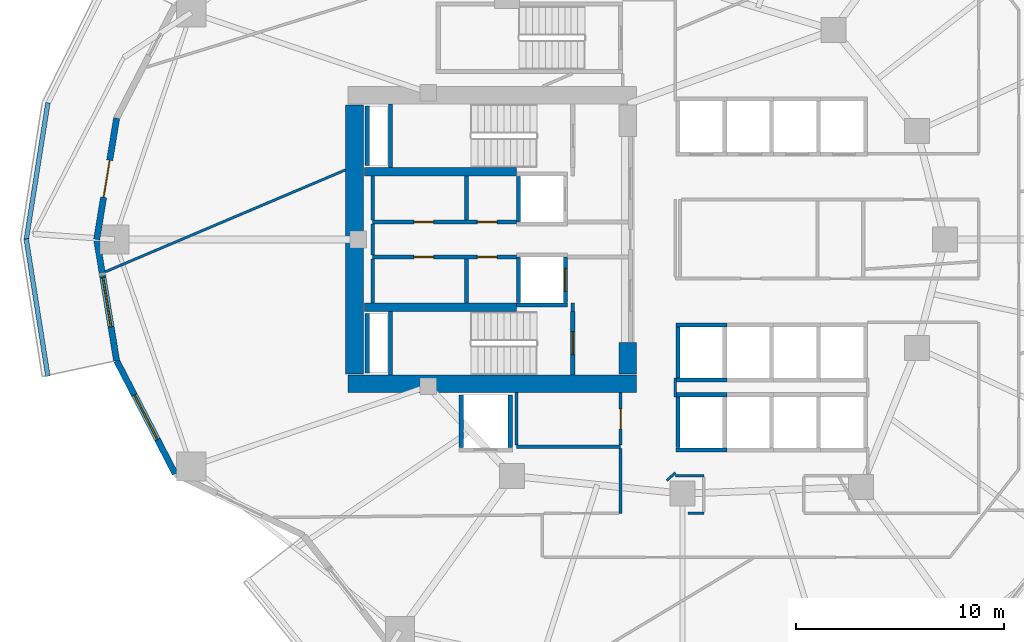
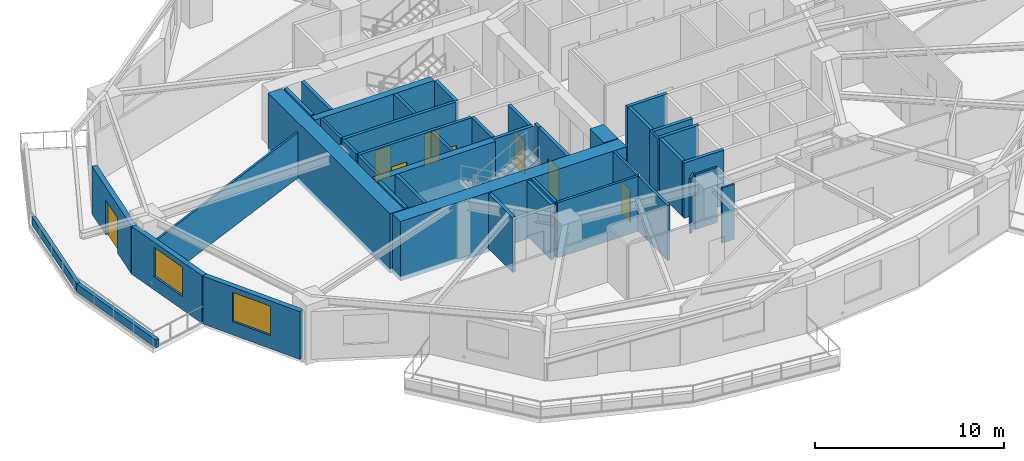
# One storey, part 3 of 14: 44 walls, 8 doors, 2 windows, 10 openings.
"""IFC4 building model written with IfcOpenShell, lengths in metres."""

from ifc_helpers import new_model, si_unit, direction, frame, frame_2d, origin, place, context, subcontext, project, spatial, rectangle, extrude, material, layer, layer_set, type_object, element, fill, save


model = new_model("IFC4")

# Units and contexts
model_context = context("Model", 3, precision=1e-05, world=origin(), true_north=direction((0.0, 1.0)))
body_context = subcontext(model_context, "Body", "Model", "MODEL_VIEW")
ifc_project = project(units=[si_unit("LENGTHUNIT", "METRE"), si_unit("AREAUNIT", "SQUARE_METRE"), si_unit("VOLUMEUNIT", "CUBIC_METRE"), si_unit("PLANEANGLEUNIT", "RADIAN"), si_unit("MASSUNIT", "GRAM", prefix="KILO")], contexts=[model_context])

# Site, building, storey
site_placement = place(None, origin())
site = spatial("IfcSite", under=ifc_project, at=site_placement, CompositionType="ELEMENT")
building_placement = place(site_placement, origin())
building = spatial("IfcBuilding", under=site, at=building_placement, Name="Kolvaren Gate Tower and Convention Centre", CompositionType="ELEMENT")
storey_placement = place(building_placement, frame((0.0, 0.0, 41.89990234375)))
storey = spatial("IfcBuildingStorey", under=building, at=storey_placement, Name="L09", CompositionType="ELEMENT", Elevation=41.89990234375)

# Wall
ifc_material_1 = material(Name="Autoclaved Aerated Masonry Blockwork Class 4 (4.0 MPa)", Category="masonry")
ifc_layer_1 = layer(ifc_material_1, 0.179931640625)
ifc_layer_set_1 = layer_set([ifc_layer_1], Name="Autoclaved Aerated Masonry Blockwork Class 4 (4.0 MPa)")
wall_type_1 = type_object("IfcWallType", Name="ARCH-WL-COMP-180", PredefinedType="SOLIDWALL", material=ifc_layer_set_1)
wall_1_placement = place(storey_placement, frame((24.85009765625, 23.5400390625, 0.0), z_axis=(0.0, 0.0, 1.0), x_axis=(0.0, 1.0, 0.0)))
element("IfcWall", 1, at=wall_1_placement, inside=storey, type_object=wall_type_1, Name="Interior Partition WL-L09-INT-001", PredefinedType="SOLIDWALL", context=body_context, shape_type="SweptSolid", body=[
    extrude(rectangle(XDim=0.419921875, YDim=0.179931640625, at=frame_2d((0.2099609375, 0.0))), origin(), (0.0, 0.0, 1.0), 3.570068359375),
])

# Wall, openings, doors
wall_2_placement = place(storey_placement, frame((15.25, 27.840087890625, 0.0), z_axis=(0.0, 0.0, 1.0), x_axis=(1.0, 0.0, 0.0)))
wall_2 = element("IfcWall", 2, at=wall_2_placement, inside=storey, type_object=wall_type_1, Name="Interior Partition WL-L09-INT-004", PredefinedType="SOLIDWALL", context=body_context, shape_type="SweptSolid", body=[
    extrude(rectangle(XDim=6.89990234375, YDim=0.179931640625, at=frame_2d((3.449951171875, 0.0))), origin(), (0.0, 0.0, 1.0), 3.570068359375),
])
opening_1_placement = place(wall_2_placement, frame((5.02001953125, 0.0, 0.0)))
opening_1 = element("IfcOpeningElement", 3, at=opening_1_placement, cuts=wall_2, Name="Opening DR-01", PredefinedType="OPENING", context=body_context, shape_type="SweptSolid", body=[
    extrude(rectangle(XDim=0.949951171875, YDim=2.10009765625, at=frame_2d((0.47509765625, 1.050048828125))), frame((0.0, 0.099853515625, 0.0), z_axis=(0.0, -1.0, 0.0), x_axis=(1.0, 0.0, 0.0)), (0.0, 0.0, 1.0), 0.199951171875),
])
opening_2_placement = place(wall_2_placement, frame((1.97998046875, 0.0, 0.0)))
opening_2 = element("IfcOpeningElement", 4, at=opening_2_placement, cuts=wall_2, Name="Opening DR-01", PredefinedType="OPENING", context=body_context, shape_type="SweptSolid", body=[
    extrude(rectangle(XDim=0.949951171875, YDim=2.10009765625, at=frame_2d((0.47509765625, 1.050048828125))), frame((0.0, 0.099853515625, 0.0), z_axis=(0.0, -1.0, 0.0), x_axis=(1.0, 0.0, 0.0)), (0.0, 0.0, 1.0), 0.199951171875),
])
ifc_material_2 = material(Name="Painted Architectural Steelwork ASTM A500 Grade C 345 MPa", Category="steel")
door_type_1 = type_object("IfcDoorType", Name="ARCH-DR-RISER-950", OperationType="SINGLE_SWING_RIGHT", PredefinedType="DOOR", material=ifc_material_2)
door_1_placement = place(opening_1_placement, origin())
door_1 = element("IfcDoor", 5, at=door_1_placement, inside=storey, type_object=door_type_1, Name="Electrical Switchgear Closet Door", OperationType="SINGLE_SWING_LEFT", OverallHeight=2.10009765625, OverallWidth=0.949951171875, PredefinedType="DOOR", context=body_context, shape_type="SweptSolid", body=[
    extrude(rectangle(XDim=0.949951171875, YDim=2.10009765625, at=frame_2d((0.47509765625, 1.050048828125))), frame((0.0, 0.02490234375, 0.0), z_axis=(0.0, -1.0, 0.0), x_axis=(1.0, 0.0, 0.0)), (0.0, 0.0, 1.0), 0.050048828125),
])
fill(opening_1, door_1)
door_2_placement = place(opening_2_placement, origin())
door_2 = element("IfcDoor", 6, at=door_2_placement, inside=storey, type_object=door_type_1, Name="Staff Powder Washroom Door", OperationType="SINGLE_SWING_LEFT", OverallHeight=2.10009765625, OverallWidth=0.949951171875, PredefinedType="DOOR", context=body_context, shape_type="SweptSolid", body=[
    extrude(rectangle(XDim=0.949951171875, YDim=2.10009765625, at=frame_2d((0.47509765625, 1.050048828125))), frame((0.0, 0.02490234375, 0.0), z_axis=(0.0, -1.0, 0.0), x_axis=(1.0, 0.0, 0.0)), (0.0, 0.0, 1.0), 0.050048828125),
])
fill(opening_2, door_2)

wall_3_placement = place(storey_placement, frame((15.25, 26.159912109375, 0.0), z_axis=(0.0, 0.0, 1.0), x_axis=(1.0, 0.0, 0.0)))
wall_3 = element("IfcWall", 7, at=wall_3_placement, inside=storey, type_object=wall_type_1, Name="Interior Partition WL-L09-INT-005", PredefinedType="SOLIDWALL", context=body_context, shape_type="SweptSolid", body=[
    extrude(rectangle(XDim=6.89990234375, YDim=0.179931640625, at=frame_2d((3.449951171875, 0.0))), origin(), (0.0, 0.0, 1.0), 3.570068359375),
])
opening_3_placement = place(wall_3_placement, frame((5.02001953125, 0.0, 0.0)))
opening_3 = element("IfcOpeningElement", 8, at=opening_3_placement, cuts=wall_3, Name="Opening DR-01", PredefinedType="OPENING", context=body_context, shape_type="SweptSolid", body=[
    extrude(rectangle(XDim=0.949951171875, YDim=2.10009765625, at=frame_2d((0.47509765625, 1.050048828125))), frame((0.0, 0.099853515625, 0.0), z_axis=(0.0, -1.0, 0.0), x_axis=(1.0, 0.0, 0.0)), (0.0, 0.0, 1.0), 0.199951171875),
])
opening_4_placement = place(wall_3_placement, frame((1.97998046875, 0.0, 0.0)))
opening_4 = element("IfcOpeningElement", 9, at=opening_4_placement, cuts=wall_3, Name="Opening DR-01", PredefinedType="OPENING", context=body_context, shape_type="SweptSolid", body=[
    extrude(rectangle(XDim=0.949951171875, YDim=2.10009765625, at=frame_2d((0.47509765625, 1.050048828125))), frame((0.0, 0.099853515625, 0.0), z_axis=(0.0, -1.0, 0.0), x_axis=(1.0, 0.0, 0.0)), (0.0, 0.0, 1.0), 0.199951171875),
])
door_3_placement = place(opening_3_placement, origin())
door_3 = element("IfcDoor", 10, at=door_3_placement, inside=storey, type_object=door_type_1, Name="Domestic Water Meter Closet Door", OperationType="SINGLE_SWING_RIGHT", OverallHeight=2.10009765625, OverallWidth=0.949951171875, PredefinedType="DOOR", context=body_context, shape_type="SweptSolid", body=[
    extrude(rectangle(XDim=0.949951171875, YDim=2.10009765625, at=frame_2d((0.47509765625, 1.050048828125))), frame((0.0, 0.02490234375, 0.0), z_axis=(0.0, -1.0, 0.0), x_axis=(1.0, 0.0, 0.0)), (0.0, 0.0, 1.0), 0.050048828125),
])
fill(opening_3, door_3)
door_4_placement = place(opening_4_placement, origin())
door_4 = element("IfcDoor", 11, at=door_4_placement, inside=storey, type_object=door_type_1, Name="Janitor Equipment Store Door", OperationType="SINGLE_SWING_RIGHT", OverallHeight=2.10009765625, OverallWidth=0.949951171875, PredefinedType="DOOR", context=body_context, shape_type="SweptSolid", body=[
    extrude(rectangle(XDim=0.949951171875, YDim=2.10009765625, at=frame_2d((0.47509765625, 1.050048828125))), frame((0.0, 0.02490234375, 0.0), z_axis=(0.0, -1.0, 0.0), x_axis=(1.0, 0.0, 0.0)), (0.0, 0.0, 1.0), 0.050048828125),
])
fill(opening_4, door_4)

# Walls
for number, where, z_axis, x_axis, name in (
    (12, (19.75, 23.9619140625, 0.0), (0.0, 0.0, 1.0), (0.0, 1.0, 0.0), "Interior Partition WL-L09-INT-007"),
    (13, (19.75, 27.931884765625, 0.0), (0.0, 0.0, 1.0), (0.0, 1.0, 0.0), "Interior Partition WL-L09-INT-008"),
):
    element("IfcWall", number, at=place(storey_placement, frame(where, z_axis=z_axis, x_axis=x_axis)), inside=storey, type_object=wall_type_1, Name=name, PredefinedType="SOLIDWALL", context=body_context, shape_type="SweptSolid", body=[
        extrude(rectangle(XDim=2.106201171875, YDim=0.179931640625, at=frame_2d((1.05322265625, 0.0))), origin(), (0.0, 0.0, 1.0), 3.570068359375),
    ])
ifc_material_3 = material(Name="Fire-Rated Acoustic Gypsum Stud Partition", Category="gypsum")
ifc_layer_2 = layer(ifc_material_3, 0.1201171875)
ifc_layer_set_2 = layer_set([ifc_layer_2], Name="Fire-Rated Acoustic Gypsum Stud Partition")
wall_type_2 = type_object("IfcWallType", Name="ARCH-WL-PART-120", PredefinedType="PARTITIONING", material=ifc_layer_set_2)
wall_4_placement = place(storey_placement, frame((29.780029296875, 19.43994140625, 0.0), z_axis=(0.0, 0.0, 1.0), x_axis=(0.0, 1.0, 0.0)))
element("IfcWall", 14, at=wall_4_placement, inside=storey, type_object=wall_type_2, Name="Interior Partition WL-L09-INT-017", PredefinedType="PARTITIONING", context=body_context, shape_type="SweptSolid", body=[
    extrude(rectangle(XDim=0.920166015625, YDim=0.1201171875, at=frame_2d((0.4599609375, 0.0))), origin(), (0.0, 0.0, 1.0), 3.570068359375),
])
wall_5_placement = place(storey_placement, frame((30.39111328125, 13.85009765625, 0.0), z_axis=(0.0, 0.0, 1.0), x_axis=(1.0, 0.0, 0.0)))
element("IfcWall", 15, at=wall_5_placement, inside=storey, type_object=wall_type_2, Name="Interior Partition WL-L09-INT-034", PredefinedType="PARTITIONING", context=body_context, shape_type="SweptSolid", body=[
    extrude(rectangle(XDim=0.7587890625, YDim=0.1201171875, at=frame_2d((0.37939453125, 0.0))), origin(), (0.0, 0.0, 1.0), 3.570068359375),
])
wall_6_placement = place(storey_placement, frame((29.780029296875, 15.64990234375, 0.0), z_axis=(0.0, 0.0, 1.0), x_axis=(1.0, 0.0, 0.0)))
element("IfcWall", 16, at=wall_6_placement, inside=storey, type_object=wall_type_2, Name="Interior Partition WL-L09-INT-038", PredefinedType="PARTITIONING", context=body_context, shape_type="SweptSolid", body=[
    extrude(rectangle(XDim=1.369873046875, YDim=0.1201171875, at=frame_2d((0.68505859375, 0.0))), origin(), (0.0, 0.0, 1.0), 3.570068359375),
])
wall_7_placement = place(storey_placement, frame((29.366943359375, 15.422119140625, 0.0), z_axis=(0.0, 0.0, 1.0), x_axis=(0.730667420492, 0.682733564893, 0.0)))
element("IfcWall", 17, at=wall_7_placement, inside=storey, type_object=wall_type_2, Name="Interior Partition WL-L09-INT-043", PredefinedType="PARTITIONING", context=body_context, shape_type="SweptSolid", body=[
    extrude(rectangle(XDim=0.5654296875, YDim=0.1201171875, at=frame_2d((0.28271484375, 0.0))), origin(), (0.0, 0.0, 1.0), 3.570068359375),
])
wall_8_placement = place(storey_placement, frame((2.40966796875, 25.447021484375, 0.0), z_axis=(0.0, 0.0, 1.0), x_axis=(0.920624646574, 0.390448793211, 0.0)))
element("IfcWall", 18, at=wall_8_placement, inside=storey, type_object=wall_type_2, Name="Interior Partition WL-L09-INT-045", PredefinedType="PARTITIONING", context=body_context, shape_type="SweptSolid", body=[
    extrude(rectangle(XDim=12.533203125, YDim=0.1201171875, at=frame_2d((6.2666015625, 0.0))), origin(), (0.0, 0.0, 1.0), 2.93408203125),
])
ifc_material_4 = material(Name="Piedmont Cream Honed Limestone Cladding", Category="masonry")
ifc_layer_3 = layer(ifc_material_4, 0.219970703125)
ifc_layer_set_3 = layer_set([ifc_layer_3], Name="Piedmont Cream Honed Limestone Cladding")
wall_type_3 = type_object("IfcWallType", Name="ARCH-WL-PLANTER-220", PredefinedType="PARAPET", material=ifc_layer_set_3)
for number, where, z_axis, x_axis, name in (
    (19, (-1.381591796875, 26.970703125, 0.0), (0.0, 0.0, 1.0), (0.155842315528, 0.987781945923, 0.0), "Vertical-Forest Balcony Stone Planter Kerb PK-L09-2.2"),
    (20, (-1.381591796875, 27.029296875, 0.0), (0.0, 0.0, 1.0), (0.155842315528, -0.987781945923, 0.0), "Vertical-Forest Balcony Stone Planter Kerb PK-L09-2.3"),
):
    element("IfcWall", number, at=place(storey_placement, frame(where, z_axis=z_axis, x_axis=x_axis)), inside=storey, type_object=wall_type_3, Name=name, PredefinedType="PARAPET", context=body_context, shape_type="SweptSolid", body=[
        extrude(rectangle(XDim=6.672119140625, YDim=0.219970703125, at=frame_2d((3.3359375, 0.0))), origin(), (0.0, 0.0, 1.0), 0.52001953125),
    ])
ifc_layer_4 = layer(ifc_material_1, 0.199951171875)
ifc_layer_set_4 = layer_set([ifc_layer_4], Name="Autoclaved Aerated Masonry Blockwork Class 4 (4.0 MPa)")
wall_type_4 = type_object("IfcWallType", Name="ARCH-WL-SHAFT-200", PredefinedType="SOLIDWALL", material=ifc_layer_set_4)
wall_9_placement = place(storey_placement, frame((22.25, 27.85009765625, 0.0), z_axis=(0.0, 0.0, 1.0), x_axis=(0.0, 1.0, 0.0)))
element("IfcWall", 21, at=wall_9_placement, inside=storey, type_object=wall_type_4, Name="Elevator FF-01 L09 Fire Shaft Wall W", PredefinedType="SOLIDWALL", context=body_context, shape_type="SweptSolid", body=[
    extrude(rectangle(XDim=2.179931640625, YDim=0.199951171875, at=frame_2d((1.08984375, 0.0))), origin(), (0.0, 0.0, 1.0), 3.570068359375),
])
wall_10_placement = place(storey_placement, frame((22.14990234375, 23.860107421875, 0.0), z_axis=(0.0, 0.0, 1.0), x_axis=(1.0, 0.0, 0.0)))
element("IfcWall", 22, at=wall_10_placement, inside=storey, type_object=wall_type_4, Name="Elevator FF-02 L09 Fire Shaft Wall S", PredefinedType="SOLIDWALL", context=body_context, shape_type="SweptSolid", body=[
    extrude(rectangle(XDim=2.4501953125, YDim=0.199951171875, at=frame_2d((1.22509765625, 0.0))), origin(), (0.0, 0.0, 1.0), 3.570068359375),
])
wall_11_placement = place(storey_placement, frame((22.25, 23.969970703125, 0.0), z_axis=(0.0, 0.0, 1.0), x_axis=(0.0, 1.0, 0.0)))
element("IfcWall", 23, at=wall_11_placement, inside=storey, type_object=wall_type_4, Name="Elevator FF-02 L09 Fire Shaft Wall W", PredefinedType="SOLIDWALL", context=body_context, shape_type="SweptSolid", body=[
    extrude(rectangle(XDim=2.179931640625, YDim=0.199951171875, at=frame_2d((1.08984375, 0.0))), origin(), (0.0, 0.0, 1.0), 3.570068359375),
])

# Wall, opening, door
wall_12_placement = place(storey_placement, frame((24.5, 23.969970703125, 0.0), z_axis=(0.0, 0.0, 1.0), x_axis=(0.0, 1.0, 0.0)))
wall_12 = element("IfcWall", 24, at=wall_12_placement, inside=storey, type_object=wall_type_4, Name="Elevator FF-02 L09 Fire Shaft Wall E", PredefinedType="SOLIDWALL", context=body_context, shape_type="SweptSolid", body=[
    extrude(rectangle(XDim=2.179931640625, YDim=0.199951171875, at=frame_2d((1.08984375, 0.0))), origin(), (0.0, 0.0, 1.0), 3.570068359375),
])
opening_5_placement = place(wall_12_placement, frame((0.5400390625, 0.0, 0.0)))
opening_5 = element("IfcOpeningElement", 25, at=opening_5_placement, cuts=wall_12, Name="Opening LD", PredefinedType="OPENING", context=body_context, shape_type="SweptSolid", body=[
    extrude(rectangle(XDim=1.10009765625, YDim=2.199951171875, at=frame_2d((0.550048828125, 1.10009765625))), frame((0.0, 0.10986328125, 0.0), z_axis=(0.0, -1.0, 0.0), x_axis=(1.0, 0.0, 0.0)), (0.0, 0.0, 1.0), 0.219970703125),
])
ifc_material_5 = material(Name="Brushed Stainless Steel Grade 316L", Category="steel")
door_type_2 = type_object("IfcDoorType", Name="ARCH-DR-LIFT-1100", OperationType="SLIDING_TO_LEFT", PredefinedType="DOOR", material=ifc_material_5)
door_5_placement = place(opening_5_placement, origin())
door_5 = element("IfcDoor", 26, at=door_5_placement, inside=storey, type_object=door_type_2, Name="Elevator FF-02 L09 Sliding Landing Door", OperationType="SLIDING_TO_LEFT", OverallHeight=2.199951171875, OverallWidth=1.10009765625, PredefinedType="DOOR", context=body_context, shape_type="SweptSolid", body=[
    extrude(rectangle(XDim=1.10009765625, YDim=2.199951171875, at=frame_2d((0.550048828125, 1.10009765625))), frame((0.0, 0.02490234375, 0.0), z_axis=(0.0, -1.0, 0.0), x_axis=(1.0, 0.0, 0.0)), (0.0, 0.0, 1.0), 0.050048828125),
])
fill(opening_5, door_5)

# Walls
for number, where, z_axis, x_axis, name in (
    (27, (19.5, 17.010009765625, 0.0), (0.0, 0.0, 1.0), (0.0, 1.0, 0.0), "Elevator SV-01 L09 Fire Shaft Wall W"),
    (28, (21.85009765625, 17.010009765625, 0.0), (0.0, 0.0, 1.0), (0.0, 1.0, 0.0), "Elevator SV-01 L09 Fire Shaft Wall E"),
):
    element("IfcWall", number, at=place(storey_placement, frame(where, z_axis=z_axis, x_axis=x_axis)), inside=storey, type_object=wall_type_4, Name=name, PredefinedType="SOLIDWALL", context=body_context, shape_type="SweptSolid", body=[
        extrude(rectangle(XDim=2.530029296875, YDim=0.199951171875, at=frame_2d((1.26513671875, 0.0))), origin(), (0.0, 0.0, 1.0), 3.570068359375),
    ])
for number, where, z_axis, x_axis, name in (
    (29, (29.800048828125, 19.550048828125, 0.0), (0.0, 0.0, 1.0), (1.0, 0.0, 0.0), "Elevator PL-05 L09 Fire Shaft Wall N"),
    (30, (29.800048828125, 16.89990234375, 0.0), (0.0, 0.0, 1.0), (1.0, 0.0, 0.0), "Elevator PL-05 L09 Fire Shaft Wall S"),
):
    element("IfcWall", number, at=place(storey_placement, frame(where, z_axis=z_axis, x_axis=x_axis)), inside=storey, type_object=wall_type_4, Name=name, PredefinedType="SOLIDWALL", context=body_context, shape_type="SweptSolid", body=[
        extrude(rectangle(XDim=2.449951171875, YDim=0.199951171875, at=frame_2d((1.22509765625, 0.0))), origin(), (0.0, 0.0, 1.0), 3.570068359375),
    ])
wall_13_placement = place(storey_placement, frame((29.89990234375, 17.010009765625, 0.0), z_axis=(0.0, 0.0, 1.0), x_axis=(0.0, 1.0, 0.0)))
element("IfcWall", 31, at=wall_13_placement, inside=storey, type_object=wall_type_4, Name="Elevator PL-05 L09 Fire Shaft Wall W", PredefinedType="SOLIDWALL", context=body_context, shape_type="SweptSolid", body=[
    extrude(rectangle(XDim=2.429931640625, YDim=0.199951171875, at=frame_2d((1.21484375, 0.0))), origin(), (0.0, 0.0, 1.0), 3.570068359375),
])
for number, where, z_axis, x_axis, name in (
    (32, (29.800048828125, 22.89990234375, 0.0), (0.0, 0.0, 1.0), (1.0, 0.0, 0.0), "Elevator PL-09 L09 Fire Shaft Wall N"),
    (33, (29.800048828125, 20.25, 0.0), (0.0, 0.0, 1.0), (1.0, 0.0, 0.0), "Elevator PL-09 L09 Fire Shaft Wall S"),
):
    element("IfcWall", number, at=place(storey_placement, frame(where, z_axis=z_axis, x_axis=x_axis)), inside=storey, type_object=wall_type_4, Name=name, PredefinedType="SOLIDWALL", context=body_context, shape_type="SweptSolid", body=[
        extrude(rectangle(XDim=2.449951171875, YDim=0.199951171875, at=frame_2d((1.22509765625, 0.0))), origin(), (0.0, 0.0, 1.0), 3.570068359375),
    ])
wall_14_placement = place(storey_placement, frame((29.89990234375, 20.360107421875, 0.0), z_axis=(0.0, 0.0, 1.0), x_axis=(0.0, 1.0, 0.0)))
element("IfcWall", 34, at=wall_14_placement, inside=storey, type_object=wall_type_4, Name="Elevator PL-09 L09 Fire Shaft Wall W", PredefinedType="SOLIDWALL", context=body_context, shape_type="SweptSolid", body=[
    extrude(rectangle(XDim=2.429931640625, YDim=0.199951171875, at=frame_2d((1.21484375, 0.0))), origin(), (0.0, 0.0, 1.0), 3.570068359375),
])
for number, where, z_axis, x_axis, name in (
    (35, (14.989990234375, 30.550048828125, 0.0), (0.0, 0.0, 1.0), (0.0, 1.0, 0.0), "Vertical Shaft HVR L09 EI-120 Enclosure Wall W"),
    (36, (14.989990234375, 20.60009765625, 0.0), (0.0, 0.0, 1.0), (0.0, 1.0, 0.0), "Vertical Shaft MPR L09 EI-120 Enclosure Wall W"),
):
    element("IfcWall", number, at=place(storey_placement, frame(where, z_axis=z_axis, x_axis=x_axis)), inside=storey, type_object=wall_type_4, Name=name, PredefinedType="SOLIDWALL", context=body_context, shape_type="SweptSolid", body=[
        extrude(rectangle(XDim=2.849853515625, YDim=0.199951171875, at=frame_2d((1.4248046875, 0.0))), origin(), (0.0, 0.0, 1.0), 3.570068359375),
    ])

# Wall, opening, door
ifc_layer_5 = layer(ifc_material_4, 0.300048828125)
ifc_layer_set_5 = layer_set([ifc_layer_5], Name="Piedmont Cream Honed Limestone Cladding")
wall_type_5 = type_object("IfcWallType", Name="ARCH-WL-STONE-300", PredefinedType="SOLIDWALL", material=ifc_layer_set_5)
wall_15_placement = place(storey_placement, frame((2.0, 27.0, 0.0), z_axis=(0.0, 0.0, 1.0), x_axis=(0.162366057843, 0.98673059305, 0.0)))
wall_15 = element("IfcWall", 37, at=wall_15_placement, inside=storey, type_object=wall_type_5, Name="Tower L09 Honed Stone Spandrel Wall EW-11", PredefinedType="SOLIDWALL", context=body_context, shape_type="SweptSolid", body=[
    extrude(rectangle(XDim=5.90185546875, YDim=0.300048828125, at=frame_2d((2.950927734375, 0.0))), origin(), (0.0, 0.0, 1.0), 3.093017578125),
])
opening_6_placement = place(wall_15_placement, frame((2.051025390625, 0.0, 0.0)))
opening_6 = element("IfcOpeningElement", 38, at=opening_6_placement, cuts=wall_15, Name="Opening DB-01", PredefinedType="OPENING", context=body_context, shape_type="SweptSolid", body=[
    extrude(rectangle(XDim=1.800048828125, YDim=2.25, at=frame_2d((0.89990234375, 1.125))), frame((0.0, 0.159912109375, 0.0), z_axis=(0.0, -1.0, 0.0), x_axis=(1.0, 0.0, 0.0)), (0.0, 0.0, 1.0), 0.320068359375),
])
ifc_material_6 = material(Name="Anodized Architectural Aluminium Alloy 6063-T6", Category="aluminium")
door_type_3 = type_object("IfcDoorType", Name="ARCH-DR-BALC-1800", OperationType="SLIDING_TO_LEFT", PredefinedType="DOOR", material=ifc_material_6)
door_6_placement = place(opening_6_placement, origin())
door_6 = element("IfcDoor", 39, at=door_6_placement, inside=storey, type_object=door_type_3, Name="Planted Sky Terrace Access Door DB-L09-11", OperationType="SLIDING_TO_LEFT", OverallHeight=2.25, OverallWidth=1.800048828125, PredefinedType="DOOR", context=body_context, shape_type="SweptSolid", body=[
    extrude(rectangle(XDim=1.800048828125, YDim=2.25, at=frame_2d((0.89990234375, 1.125))), frame((0.0, 0.02490234375, 0.0), z_axis=(0.0, -1.0, 0.0), x_axis=(1.0, 0.0, 0.0)), (0.0, 0.0, 1.0), 0.050048828125),
])
fill(opening_6, door_6)

# Wall, opening, window
wall_16_placement = place(storey_placement, frame((2.0, 27.0, 0.0), z_axis=(0.0, 0.0, 1.0), x_axis=(0.162366057843, -0.98673059305, 0.0)))
wall_16 = element("IfcWall", 40, at=wall_16_placement, inside=storey, type_object=wall_type_5, Name="Tower L09 Honed Stone Spandrel Wall EW-12", PredefinedType="SOLIDWALL", context=body_context, shape_type="SweptSolid", body=[
    extrude(rectangle(XDim=5.90185546875, YDim=0.300048828125, at=frame_2d((2.950927734375, 0.0))), origin(), (0.0, 0.0, 1.0), 3.093017578125),
])
opening_7_placement = place(wall_16_placement, frame((1.85009765625, 0.0, 0.85009765625)))
opening_7 = element("IfcOpeningElement", 41, at=opening_7_placement, cuts=wall_16, Name="Opening W-01", PredefinedType="OPENING", context=body_context, shape_type="SweptSolid", body=[
    extrude(rectangle(XDim=2.39990234375, YDim=1.89990234375, at=frame_2d((1.199951171875, 0.949951171875))), frame((0.0, 0.159912109375, 0.0), z_axis=(0.0, -1.0, 0.0), x_axis=(1.0, 0.0, 0.0)), (0.0, 0.0, 1.0), 0.320068359375),
])
ifc_material_7 = material(Name="Low-E Triple Insulated Glazing Unit 44 mm", Category="glass")
window_type = type_object("IfcWindowType", Name="ARCH-WN-OFF-2400", PartitioningType="SINGLE_PANEL", PredefinedType="WINDOW", material=ifc_material_7)
window_1_placement = place(opening_7_placement, origin())
window_1 = element("IfcWindow", 42, at=window_1_placement, inside=storey, type_object=window_type, Name="Tower L09 Punched Stone Facade Window W-12", OverallHeight=1.89990234375, OverallWidth=2.39990234375, PartitioningType="SINGLE_PANEL", PredefinedType="WINDOW", context=body_context, shape_type="SweptSolid", body=[
    extrude(rectangle(XDim=2.39990234375, YDim=1.89990234375, at=frame_2d((1.199951171875, 0.949951171875))), frame((0.0, 0.030029296875, 0.0), z_axis=(0.0, -1.0, 0.0), x_axis=(1.0, 0.0, 0.0)), (0.0, 0.0, 1.0), 0.06005859375),
])
fill(opening_7, window_1)

wall_17_placement = place(storey_placement, frame((2.958251953125, 21.176513671875, 0.0), z_axis=(0.0, 0.0, 1.0), x_axis=(0.459809804413, -0.88801742312, 0.0)))
wall_17 = element("IfcWall", 43, at=wall_17_placement, inside=storey, type_object=wall_type_5, Name="Tower L09 Honed Stone Spandrel Wall EW-13", PredefinedType="SOLIDWALL", context=body_context, shape_type="SweptSolid", body=[
    extrude(rectangle(XDim=6.11083984375, YDim=0.300048828125, at=frame_2d((3.055419921875, 0.0))), origin(), (0.0, 0.0, 1.0), 3.093017578125),
])
opening_8_placement = place(wall_17_placement, frame((1.85498046875, 0.0, 0.85009765625)))
opening_8 = element("IfcOpeningElement", 44, at=opening_8_placement, cuts=wall_17, Name="Opening W-01", PredefinedType="OPENING", context=body_context, shape_type="SweptSolid", body=[
    extrude(rectangle(XDim=2.39990234375, YDim=1.89990234375, at=frame_2d((1.199951171875, 0.949951171875))), frame((0.0, 0.159912109375, 0.0), z_axis=(0.0, -1.0, 0.0), x_axis=(1.0, 0.0, 0.0)), (0.0, 0.0, 1.0), 0.320068359375),
])
window_2_placement = place(opening_8_placement, origin())
window_2 = element("IfcWindow", 45, at=window_2_placement, inside=storey, type_object=window_type, Name="Tower L09 Punched Stone Facade Window W-13", OverallHeight=1.89990234375, OverallWidth=2.39990234375, PartitioningType="SINGLE_PANEL", PredefinedType="WINDOW", context=body_context, shape_type="SweptSolid", body=[
    extrude(rectangle(XDim=2.39990234375, YDim=1.89990234375, at=frame_2d((1.199951171875, 0.949951171875))), frame((0.0, 0.030029296875, 0.0), z_axis=(0.0, -1.0, 0.0), x_axis=(1.0, 0.0, 0.0)), (0.0, 0.0, 1.0), 0.06005859375),
])
fill(opening_8, window_2)

# Walls
ifc_material_8 = material(Name="Moisture-Resistant Cement-Board Acoustic Partition", Category="gypsum")
ifc_layer_6 = layer(ifc_material_8, 0.14990234375)
ifc_layer_set_6 = layer_set([ifc_layer_6], Name="Moisture-Resistant Cement-Board Acoustic Partition")
wall_type_6 = type_object("IfcWallType", Name="ARCH-WL-WET-150", PredefinedType="PARTITIONING", material=ifc_layer_set_6)
wall_18_placement = place(storey_placement, frame((15.25, 23.9619140625, 0.0), z_axis=(0.0, 0.0, 1.0), x_axis=(0.0, 1.0, 0.0)))
element("IfcWall", 46, at=wall_18_placement, inside=storey, type_object=wall_type_6, Name="Interior Partition WL-L09-INT-006", PredefinedType="PARTITIONING", context=body_context, shape_type="SweptSolid", body=[
    extrude(rectangle(XDim=2.106201171875, YDim=0.14990234375, at=frame_2d((1.05322265625, 0.0))), origin(), (0.0, 0.0, 1.0), 3.570068359375),
])
wall_19_placement = place(storey_placement, frame((15.25, 26.251953125, 0.0), z_axis=(0.0, 0.0, 1.0), x_axis=(0.0, 1.0, 0.0)))
element("IfcWall", 47, at=wall_19_placement, inside=storey, type_object=wall_type_6, Name="Interior Partition WL-L09-INT-006 (2)", PredefinedType="PARTITIONING", context=body_context, shape_type="SweptSolid", body=[
    extrude(rectangle(XDim=1.49609375, YDim=0.14990234375, at=frame_2d((0.748046875, 0.0))), origin(), (0.0, 0.0, 1.0), 3.570068359375),
])
wall_20_placement = place(storey_placement, frame((15.25, 27.931884765625, 0.0), z_axis=(0.0, 0.0, 1.0), x_axis=(0.0, 1.0, 0.0)))
element("IfcWall", 48, at=wall_20_placement, inside=storey, type_object=wall_type_6, Name="Interior Partition WL-L09-INT-006 (3)", PredefinedType="PARTITIONING", context=body_context, shape_type="SweptSolid", body=[
    extrude(rectangle(XDim=2.106201171875, YDim=0.14990234375, at=frame_2d((1.05322265625, 0.0))), origin(), (0.0, 0.0, 1.0), 3.570068359375),
])
wall_21_placement = place(storey_placement, frame((22.14990234375, 17.050048828125, 0.0), z_axis=(0.0, 0.0, 1.0), x_axis=(1.0, 0.0, 0.0)))
element("IfcWall", 49, at=wall_21_placement, inside=storey, type_object=wall_type_6, Name="Interior Partition WL-L09-INT-009", PredefinedType="PARTITIONING", context=body_context, shape_type="SweptSolid", body=[
    extrude(rectangle(XDim=5.0, YDim=0.14990234375, at=frame_2d((2.5, 0.0))), origin(), (0.0, 0.0, 1.0), 3.570068359375),
])
wall_22_placement = place(storey_placement, frame((22.14990234375, 17.126953125, 0.0), z_axis=(0.0, 0.0, 1.0), x_axis=(0.0, 1.0, 0.0)))
element("IfcWall", 50, at=wall_22_placement, inside=storey, type_object=wall_type_6, Name="Interior Partition WL-L09-INT-010", PredefinedType="PARTITIONING", context=body_context, shape_type="SweptSolid", body=[
    extrude(rectangle(XDim=2.52099609375, YDim=0.14990234375, at=frame_2d((1.260498046875, 0.0))), origin(), (0.0, 0.0, 1.0), 3.570068359375),
])
wall_23_placement = place(storey_placement, frame((27.14990234375, 13.85009765625, 0.0), z_axis=(0.0, 0.0, 1.0), x_axis=(0.0, 1.0, 0.0)))
element("IfcWall", 51, at=wall_23_placement, inside=storey, type_object=wall_type_6, Name="Interior Partition WL-L09-INT-011", PredefinedType="PARTITIONING", context=body_context, shape_type="SweptSolid", body=[
    extrude(rectangle(XDim=3.122802734375, YDim=0.14990234375, at=frame_2d((1.5615234375, 0.0))), origin(), (0.0, 0.0, 1.0), 3.570068359375),
])

# Wall, opening, door
wall_24_placement = place(storey_placement, frame((27.14990234375, 17.126953125, 0.0), z_axis=(0.0, 0.0, 1.0), x_axis=(0.0, 1.0, 0.0)))
wall_24 = element("IfcWall", 52, at=wall_24_placement, inside=storey, type_object=wall_type_6, Name="Interior Partition WL-L09-INT-011 (2)", PredefinedType="PARTITIONING", context=body_context, shape_type="SweptSolid", body=[
    extrude(rectangle(XDim=2.52099609375, YDim=0.14990234375, at=frame_2d((1.260498046875, 0.0))), origin(), (0.0, 0.0, 1.0), 3.570068359375),
])
opening_9_placement = place(wall_24_placement, frame((0.785400390625, 0.0, 0.0)))
opening_9 = element("IfcOpeningElement", 53, at=opening_9_placement, cuts=wall_24, Name="Opening DR-01", PredefinedType="OPENING", context=body_context, shape_type="SweptSolid", body=[
    extrude(rectangle(XDim=0.949951171875, YDim=2.10009765625, at=frame_2d((0.47509765625, 1.050048828125))), frame((0.0, 0.0849609375, 0.0), z_axis=(0.0, -1.0, 0.0), x_axis=(1.0, 0.0, 0.0)), (0.0, 0.0, 1.0), 0.169921875),
])
door_7_placement = place(opening_9_placement, origin())
door_7 = element("IfcDoor", 54, at=door_7_placement, inside=storey, type_object=door_type_1, Name="West Linen and Supply Store Door", OperationType="SINGLE_SWING_LEFT", OverallHeight=2.10009765625, OverallWidth=0.949951171875, PredefinedType="DOOR", context=body_context, shape_type="SweptSolid", body=[
    extrude(rectangle(XDim=0.949951171875, YDim=2.10009765625, at=frame_2d((0.47509765625, 1.050048828125))), frame((0.0, 0.02490234375, 0.0), z_axis=(0.0, -1.0, 0.0), x_axis=(1.0, 0.0, 0.0)), (0.0, 0.0, 1.0), 0.050048828125),
])
fill(opening_9, door_7)

# Walls
ifc_material_9 = material(Name="Concrete C50/60", Category="concrete")
ifc_layer_7 = layer(ifc_material_9, 0.419921875)
ifc_layer_set_7 = layer_set([ifc_layer_7], Name="Concrete C50/60")
wall_type_7 = type_object("IfcWallType", Name="STR-WL-CONV-420", PredefinedType="SHEAR", material=ifc_layer_set_7)
for number, where, z_axis, x_axis, name in (
    (55, (14.85009765625, 30.25, -0.27978515625), (0.0, 0.0, 1.0), (1.0, 0.0, 0.0), "Tower L09 Offset Core Shear Wall WN"),
    (56, (14.85009765625, 23.75, -0.27978515625), (0.0, 0.0, 1.0), (1.0, 0.0, 0.0), "Tower L09 Offset Core Shear Wall WS"),
):
    element("IfcWall", number, at=place(storey_placement, frame(where, z_axis=z_axis, x_axis=x_axis)), inside=storey, type_object=wall_type_7, Name=name, PredefinedType="SHEAR", context=body_context, shape_type="SweptSolid", body=[
        extrude(rectangle(XDim=7.2998046875, YDim=0.419921875, at=frame_2d((3.64990234375, 0.0))), origin(), (0.0, 0.0, 1.0), 3.849853515625),
    ])
ifc_material_10 = material(Name="Concrete C70/85", Category="concrete")
ifc_layer_8 = layer(ifc_material_10, 0.85009765625)
ifc_layer_set_8 = layer_set([ifc_layer_8], Name="Concrete C70/85")
wall_type_8 = type_object("IfcWallType", Name="STR-WL-CORE-850", PredefinedType="SHEAR", material=ifc_layer_set_8)
wall_25_placement = place(storey_placement, frame((14.074951171875, 20.074951171875, -0.27978515625), z_axis=(0.0, 0.0, 1.0), x_axis=(1.0, 0.0, 0.0)))
element("IfcWall", 57, at=wall_25_placement, inside=storey, type_object=wall_type_8, Name="Tower L09 Offset Core Shear Wall S", PredefinedType="SHEAR", context=body_context, shape_type="SweptSolid", body=[
    extrude(rectangle(XDim=13.85009765625, YDim=0.85009765625, at=frame_2d((6.925048828125, 0.0))), origin(), (0.0, 0.0, 1.0), 3.849853515625),
])
wall_26_placement = place(storey_placement, frame((14.375, 20.550048828125, -0.27978515625), z_axis=(0.0, 0.0, 1.0), x_axis=(0.0, 1.0, 0.0)))
element("IfcWall", 58, at=wall_26_placement, inside=storey, type_object=wall_type_8, Name="Tower L09 Offset Core Shear Wall W", PredefinedType="SHEAR", context=body_context, shape_type="SweptSolid", body=[
    extrude(rectangle(XDim=12.89990234375, YDim=0.85009765625, at=frame_2d((6.449951171875, 0.0))), origin(), (0.0, 0.0, 1.0), 3.849853515625),
])
wall_27_placement = place(storey_placement, frame((27.5, 20.550048828125, -0.27978515625), z_axis=(0.0, 0.0, 1.0), x_axis=(0.0, 1.0, 0.0)))
element("IfcWall", 59, at=wall_27_placement, inside=storey, type_object=wall_type_8, Name="Tower L09 Offset Core Shear Wall ES", PredefinedType="SHEAR", context=body_context, shape_type="SweptSolid", body=[
    extrude(rectangle(XDim=1.5, YDim=0.85009765625, at=frame_2d((0.75, 0.0))), origin(), (0.0, 0.0, 1.0), 3.849853515625),
])
ifc_layer_9 = layer(ifc_material_9, 0.199951171875)
ifc_layer_set_9 = layer_set([ifc_layer_9], Name="Concrete C50/60")
wall_type_9 = type_object("IfcWallType", Name="STR-WL-SHAFT-200", PredefinedType="SHEAR", material=ifc_layer_set_9)
wall_28_placement = place(storey_placement, frame((16.10009765625, 30.4619140625, -0.27978515625), z_axis=(0.0, 0.0, 1.0), x_axis=(0.0, 1.0, 0.0)))
element("IfcWall", 60, at=wall_28_placement, inside=storey, type_object=wall_type_9, Name="Tower North Exit Stair ST-T1 L09 Structural Shear Enclosure Wall FAR", PredefinedType="SHEAR", context=body_context, shape_type="SweptSolid", body=[
    extrude(rectangle(XDim=3.0361328125, YDim=0.199951171875, at=frame_2d((1.51806640625, 0.0))), origin(), (0.0, 0.0, 1.0), 3.849853515625),
])

# Wall, opening, door
wall_29_placement = place(storey_placement, frame((24.85009765625, 20.501953125, -0.27978515625), z_axis=(0.0, 0.0, 1.0), x_axis=(0.0, 1.0, 0.0)))
wall_29 = element("IfcWall", 61, at=wall_29_placement, inside=storey, type_object=wall_type_9, Name="Tower South Exit Stair ST-T2 L09 Structural Shear Enclosure Wall NEAR", PredefinedType="SHEAR", context=body_context, shape_type="SweptSolid", body=[
    extrude(rectangle(XDim=3.0380859375, YDim=0.199951171875, at=frame_2d((1.51904296875, 0.0))), origin(), (0.0, 0.0, 1.0), 3.849853515625),
])
opening_10_placement = place(wall_29_placement, frame((0.968994140625, 0.0, 0.280029296875)))
opening_10 = element("IfcOpeningElement", 62, at=opening_10_placement, cuts=wall_29, Name="Opening DS-01", PredefinedType="OPENING", context=body_context, shape_type="SweptSolid", body=[
    extrude(rectangle(XDim=1.10009765625, YDim=2.14990234375, at=frame_2d((0.550048828125, 1.074951171875))), frame((0.0, 0.10986328125, 0.0), z_axis=(0.0, -1.0, 0.0), x_axis=(1.0, 0.0, 0.0)), (0.0, 0.0, 1.0), 0.219970703125),
])
door_type_4 = type_object("IfcDoorType", Name="ARCH-DR-STAIR-1100", OperationType="SINGLE_SWING_LEFT", PredefinedType="DOOR", material=ifc_material_2)
door_8_placement = place(opening_10_placement, origin())
door_8 = element("IfcDoor", 63, at=door_8_placement, inside=storey, type_object=door_type_4, Name="Tower South Exit Stair ST-T2 L09 Fire Exit Stair Door", OperationType="SINGLE_SWING_LEFT", OverallHeight=2.14990234375, OverallWidth=1.10009765625, PredefinedType="DOOR", context=body_context, shape_type="SweptSolid", body=[
    extrude(rectangle(XDim=1.10009765625, YDim=2.14990234375, at=frame_2d((0.550048828125, 1.074951171875))), frame((0.0, 0.02490234375, 0.0), z_axis=(0.0, -1.0, 0.0), x_axis=(1.0, 0.0, 0.0)), (0.0, 0.0, 1.0), 0.050048828125),
])
fill(opening_10, door_8)

# Wall
wall_30_placement = place(storey_placement, frame((16.10009765625, 20.501953125, -0.27978515625), z_axis=(0.0, 0.0, 1.0), x_axis=(0.0, 1.0, 0.0)))
element("IfcWall", 64, at=wall_30_placement, inside=storey, type_object=wall_type_9, Name="Tower South Exit Stair ST-T2 L09 Structural Shear Enclosure Wall FAR", PredefinedType="SHEAR", context=body_context, shape_type="SweptSolid", body=[
    extrude(rectangle(XDim=3.0361328125, YDim=0.199951171875, at=frame_2d((1.51806640625, 0.0))), origin(), (0.0, 0.0, 1.0), 3.849853515625),
])

save(model, "model.ifc")
